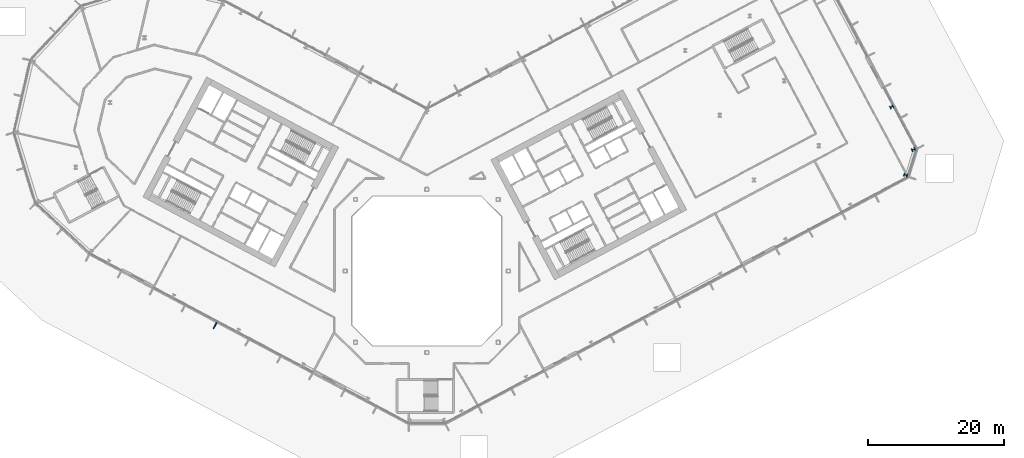
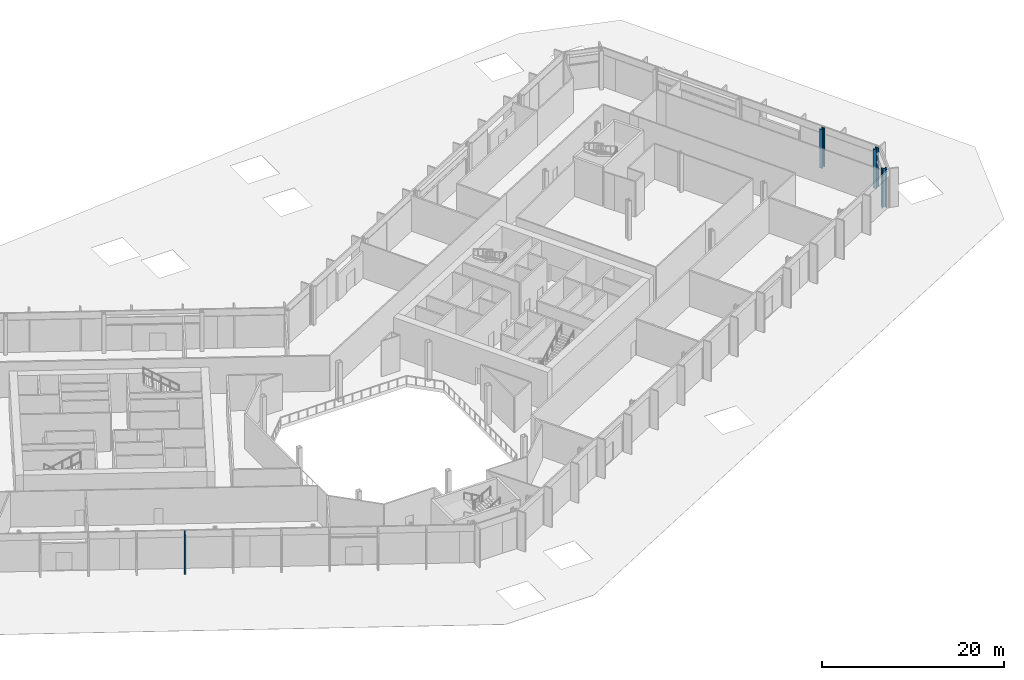
# One storey, part 5 of 30: 3 columns, 1 member, 1 element without a shape of its own.
"""IFC4 building model written with IfcOpenShell, lengths in metres."""

from ifc_helpers import new_model, si_unit, direction, frame, origin, origin_2d, place, context, subcontext, project, spatial, rectangle, i_section, extrude, material, layer, layer_set, material_profile, profile_set, type_object, element, aggregate, save


model = new_model("IFC4")

# Units and contexts
model_context = context("Model", 3, precision=1e-05, world=origin(), true_north=direction((0.0, 1.0)))
body_context = subcontext(model_context, "Body", "Model", "MODEL_VIEW")
ifc_project = project(units=[si_unit("LENGTHUNIT", "METRE"), si_unit("AREAUNIT", "SQUARE_METRE"), si_unit("VOLUMEUNIT", "CUBIC_METRE"), si_unit("PLANEANGLEUNIT", "RADIAN"), si_unit("MASSUNIT", "GRAM", prefix="KILO")], contexts=[model_context])

# Site, building, storey
site_placement = place(None, origin())
site = spatial("IfcSite", under=ifc_project, at=site_placement, CompositionType="ELEMENT")
building_placement = place(site_placement, origin())
building = spatial("IfcBuilding", under=site, at=building_placement, Name="Cormorant Relay Tower", CompositionType="ELEMENT")
storey_placement = place(building_placement, frame((0.0, 0.0, 7.0)))
storey = spatial("IfcBuildingStorey", under=building, at=storey_placement, Name="L01", CompositionType="ELEMENT", Elevation=7.0)

# Columns
ifc_material_1 = material(Name="Steel ASTM A992 (Fy 345 MPa)", Category="steel")
ifc_material_profile_1 = material_profile(ifc_material_1, i_section(OverallWidth=0.45458984375, OverallDepth=0.569091796875, WebThickness=0.077880859375, FlangeThickness=0.124755859375, FilletRadius=0.015380859375, at=origin_2d()), Name="W360x1086")
ifc_profile_set_1 = profile_set([ifc_material_profile_1], Name="Steel ASTM A992 (Fy 345 MPa)")
column_type_1 = type_object("IfcColumnType", Name="Column W360x1086", PredefinedType="COLUMN", material=ifc_profile_set_1)
for number, where, z_axis, x_axis, name in (
    (1, (70.47412109375, 14.10595703125, 0.0), (0.0, 0.0, 1.0), (0.292371704723, 0.956304755963, 0.0), "Column L01-026"),
    (2, (71.625, 17.87109375, 0.0), (0.0, 0.0, 1.0), (-0.469471562786, 0.882947592859, 0.0), "Column L01-028"),
):
    element("IfcColumn", number, at=place(storey_placement, frame(where, z_axis=z_axis, x_axis=x_axis)), inside=storey, type_object=column_type_1, Name=name, PredefinedType="COLUMN", context=body_context, shape_type="SweptSolid", body=[
        extrude(i_section(OverallWidth=0.45458984375, OverallDepth=0.569091796875, WebThickness=0.077880859375, FlangeThickness=0.124755859375, FilletRadius=0.015380859375, at=origin_2d()), origin(), (0.0, 0.0, 1.0), 5.199951171875),
    ])
ifc_material_2 = material(Name="Steel ASTM A992 (Fy 345 MPa)", Category="steel")
ifc_material_profile_2 = material_profile(ifc_material_2, i_section(OverallWidth=0.43701171875, OverallDepth=0.51318359375, WebThickness=0.060546875, FlangeThickness=0.096923828125, FilletRadius=0.015380859375, at=origin_2d()), Name="W360x818")
ifc_profile_set_2 = profile_set([ifc_material_profile_2], Name="Steel ASTM A992 (Fy 345 MPa)")
column_type_2 = type_object("IfcColumnType", Name="Column W360x818", PredefinedType="COLUMN", material=ifc_profile_set_2)
column_placement = place(storey_placement, frame((68.4130859375, 24.14404296875, 0.0), z_axis=(0.0, 0.0, 1.0), x_axis=(-0.469471562786, 0.882947592859, 0.0)))
element("IfcColumn", 3, at=column_placement, inside=storey, type_object=column_type_2, Name="Column L01-033", PredefinedType="COLUMN", context=body_context, shape_type="SweptSolid", body=[
    extrude(i_section(OverallWidth=0.43701171875, OverallDepth=0.51318359375, WebThickness=0.060546875, FlangeThickness=0.096923828125, FilletRadius=0.015380859375, at=origin_2d()), origin(), (0.0, 0.0, 1.0), 5.199951171875),
])

# Curtain wall, member
ifc_material_3 = material(Name="Aluminium 6063-T6 anodised bronze", Category="aluminium")
ifc_layer = layer(ifc_material_3, 0.235107421875)
ifc_layer_set = layer_set([ifc_layer], Name="CW6 data hall curtain wall with mineral wool panels")
curtain_wall_type = type_object("IfcCurtainWallType", Name="CW6 data hall curtain wall with mineral wool panels", PredefinedType="NOTDEFINED", material=ifc_layer_set)
curtain_wall_placement = place(storey_placement, origin())
curtain_wall = element("IfcCurtainWall", 4, at=curtain_wall_placement, inside=storey, type_object=curtain_wall_type, Name="CW6 curtain wall 14", PredefinedType="NOTDEFINED")
ifc_material_4 = material(Name="Aluminium 6063-T6 anodised bronze", Category="aluminium")
ifc_material_profile_3 = material_profile(ifc_material_4, rectangle(XDim=0.14990234375, YDim=1.0, at=origin_2d()), Name="AL 150x1000")
ifc_profile_set_3 = profile_set([ifc_material_profile_3], Name="Aluminium 6063-T6 anodised bronze")
member_type = type_object("IfcMemberType", Name="CW6 bronze fin mullion 150 x 1000", PredefinedType="MULLION", material=ifc_profile_set_3)
member_placement = place(storey_placement, frame((-31.159423828125, -8.048583984375, 0.0), z_axis=(0.0, 0.0, 1.0), x_axis=(0.882947592859, -0.469471562786, 0.0)))
member = element("IfcMember", 5, at=member_placement, type_object=member_type, Name="CW6 fin 14.5", PredefinedType="MULLION", context=body_context, shape_type="SweptSolid", body=[
    extrude(rectangle(XDim=0.14990234375, YDim=1.0, at=origin_2d()), origin(), (0.0, 0.0, 1.0), 5.199951171875),
])
aggregate(curtain_wall, [member])

save(model, "model.ifc")
